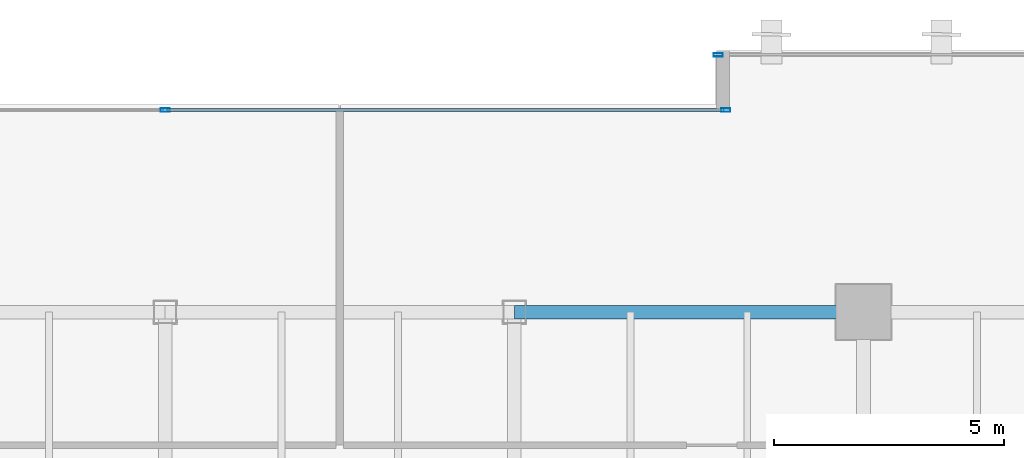
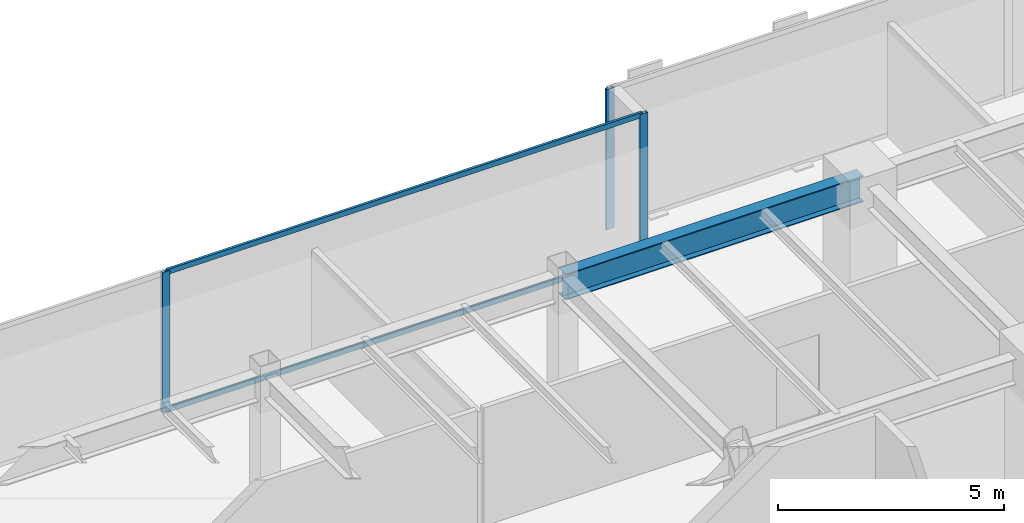
# One storey, part 18 of 34: 5 members, 1 beam, 2 elements without a shape of their own.
"""IFC4 building model written with IfcOpenShell, lengths in metres."""

from ifc_helpers import new_model, si_unit, direction, frame, origin, origin_2d, place, context, subcontext, project, spatial, hollow_rectangle, i_section, extrude, source, transform, mapped, material, layer, layer_set, material_profile, profile_set, type_object, type_shapes, element, aggregate, save


model = new_model("IFC4")

# Units and contexts
model_context = context("Model", 3, precision=1e-05, world=origin(), true_north=direction((0.0, 1.0)))
body_context = subcontext(model_context, "Body", "Model", "MODEL_VIEW")
ifc_project = project(units=[si_unit("LENGTHUNIT", "METRE"), si_unit("AREAUNIT", "SQUARE_METRE"), si_unit("VOLUMEUNIT", "CUBIC_METRE"), si_unit("PLANEANGLEUNIT", "RADIAN"), si_unit("MASSUNIT", "GRAM", prefix="KILO")], contexts=[model_context])

# Site, building, storey
site_placement = place(None, origin())
site = spatial("IfcSite", under=ifc_project, at=site_placement, CompositionType="ELEMENT")
building_placement = place(site_placement, origin())
building = spatial("IfcBuilding", under=site, at=building_placement, Name="Haelvirn Gate Laboratories", CompositionType="ELEMENT")
storey_placement = place(building_placement, frame((0.0, 0.0, 158.39990234375)))
storey = spatial("IfcBuildingStorey", under=building, at=storey_placement, Name="L38", CompositionType="ELEMENT", Elevation=158.39990234375)

# Beam
ifc_material_1 = material(Name="Steel SM355", Category="steel")
ifc_material_profile_1 = material_profile(ifc_material_1, i_section(OverallWidth=0.300048828125, OverallDepth=0.699951171875, WebThickness=0.012939453125, FlangeThickness=0.02392578125, at=origin_2d()), Name="H-700x300x13x24")
ifc_profile_set_1 = profile_set([ifc_material_profile_1], Name="Steel SM355")
beam_type = type_object("IfcBeamType", Name="BM-G-700", PredefinedType="BEAM", material=ifc_profile_set_1)
shared_shape_1 = source(origin(), body_context, "Body", "SweptSolid", [
    extrude(i_section(OverallWidth=0.300048828125, OverallDepth=0.699951171875, WebThickness=0.012939453125, FlangeThickness=0.02392578125, at=origin_2d()), origin(), (0.0, 0.0, 1.0), 7.60009765625),
])
type_shapes(beam_type, [shared_shape_1])
beam_placement = place(storey_placement, frame((45.0, 41.60009765625, 3.440185546875), z_axis=(1.0, 0.0, 0.0), x_axis=(0.0, 1.0, 0.0)))
element("IfcBeam", 1, at=beam_placement, inside=storey, type_object=beam_type, Name="L38 Primary Girder Y41.6 (45.0-52.6)", PredefinedType="BEAM", context=body_context, shape_type="MappedRepresentation", body=[
    mapped(shared_shape_1, transform((0.0, 0.0, 0.0), scale=1.0)),
])

# Curtain wall, members
ifc_material_2 = material(Name="Anodised bronze unitised aluminium & triple low-E glass", Category="aluminium")
ifc_layer = layer(ifc_material_2, 0.179931640625, Name="CW-SYS-3")
ifc_layer_set = layer_set([ifc_layer], Name="Anodised bronze unitised aluminium & triple low-E glass")
curtain_wall_type = type_object("IfcCurtainWallType", Name="CW-SYS-3", PredefinedType="NOTDEFINED", material=ifc_layer_set)
curtain_wall_1_placement = place(storey_placement, origin())
curtain_wall_1 = element("IfcCurtainWall", 2, at=curtain_wall_1_placement, inside=storey, type_object=curtain_wall_type, Name="L38 Unitised Curtain Wall CW-L38-P0-E12-1", PredefinedType="NOTDEFINED")
ifc_material_3 = material(Name="Extruded aluminium 6063-T6 (anodised bronze)", Category="aluminium")
ifc_material_profile_2 = material_profile(ifc_material_3, hollow_rectangle(XDim=0.06494140625, YDim=0.139892578125, WallThickness=0.00390625, at=origin_2d()), Name="CWT-140x65x4")
ifc_profile_set_2 = profile_set([ifc_material_profile_2], Name="Extruded aluminium 6063-T6 (anodised bronze)")
member_type_1 = type_object("IfcMemberType", Name="CWT-T140", PredefinedType="USERDEFINED", material=ifc_profile_set_2)
shared_shape_2 = source(origin(), body_context, "Body", "SweptSolid", [
    extrude(hollow_rectangle(XDim=0.06494140625, YDim=0.139892578125, WallThickness=0.00390625, at=origin_2d()), origin(), (0.0, 0.0, 1.0), 12.12744140625),
])
type_shapes(member_type_1, [shared_shape_2])
member_1_placement = place(storey_placement, frame((37.4375, 46.0, 0.03271484375), z_axis=(1.0, 0.0, 0.0), x_axis=(0.0, 1.0, 0.0)))
member_1 = element("IfcMember", 3, at=member_1_placement, type_object=member_type_1, Name="CW3 transom 2.1", ObjectType="TRANSOM", PredefinedType="USERDEFINED", context=body_context, shape_type="MappedRepresentation", body=[
    mapped(shared_shape_2, transform((0.0, 0.0, 0.0), scale=1.0)),
])
member_2_placement = place(storey_placement, frame((37.4375, 46.0, 3.757568359375), z_axis=(1.0, 0.0, 0.0), x_axis=(0.0, 1.0, 0.0)))
member_2 = element("IfcMember", 4, at=member_2_placement, type_object=member_type_1, Name="CW3 transom 2.2", ObjectType="TRANSOM", PredefinedType="USERDEFINED", context=body_context, shape_type="MappedRepresentation", body=[
    mapped(shared_shape_2, transform((0.0, 0.0, 0.0), scale=1.0)),
])

# Curtain wall, member
curtain_wall_2_placement = place(storey_placement, origin())
curtain_wall_2 = element("IfcCurtainWall", 5, at=curtain_wall_2_placement, inside=storey, type_object=curtain_wall_type, Name="L38 Unitised Curtain Wall CW-L38-P0-E10-1", PredefinedType="NOTDEFINED")
ifc_material_profile_3 = material_profile(ifc_material_3, hollow_rectangle(XDim=0.074951171875, YDim=0.199951171875, WallThickness=0.0048828125, at=origin_2d()), Name="CWM-200x75x5")
ifc_profile_set_3 = profile_set([ifc_material_profile_3], Name="Extruded aluminium 6063-T6 (anodised bronze)")
member_type_2 = type_object("IfcMemberType", Name="CWM-T200", PredefinedType="MULLION", material=ifc_profile_set_3)
shared_shape_3 = source(origin(), body_context, "Body", "SweptSolid", [
    extrude(hollow_rectangle(XDim=0.074951171875, YDim=0.199951171875, WallThickness=0.0048828125, at=origin_2d()), origin(), (0.0, 0.0, 1.0), 3.7900390625),
])
type_shapes(member_type_2, [shared_shape_3])
member_3_placement = place(storey_placement, frame((49.4375, 47.199951171875, 0.0), z_axis=(0.0, 0.0, 1.0), x_axis=(0.0, 1.0, 0.0)))
member_3 = element("IfcMember", 6, at=member_3_placement, type_object=member_type_2, Name="CW3 mullion 1", PredefinedType="MULLION", context=body_context, shape_type="MappedRepresentation", body=[
    mapped(shared_shape_3, transform((0.0, 0.0, 0.0), scale=1.0)),
])
aggregate(curtain_wall_2, [member_3])

# Member
member_4_placement = place(storey_placement, frame((37.39990234375, 46.0, 0.0), z_axis=(0.0, 0.0, 1.0), x_axis=(0.0, 1.0, 0.0)))
member_4 = element("IfcMember", 7, at=member_4_placement, type_object=member_type_2, Name="CW3 mullion 2", PredefinedType="MULLION", context=body_context, shape_type="MappedRepresentation", body=[
    mapped(shared_shape_3, transform((0.0, 0.0, 0.0), scale=1.0)),
])

member_5_placement = place(storey_placement, frame((49.6025390625, 46.0, 0.0), z_axis=(0.0, 0.0, 1.0), x_axis=(0.0, 1.0, 0.0)))
member_5 = element("IfcMember", 8, at=member_5_placement, type_object=member_type_2, Name="CW3 mullion 3", PredefinedType="MULLION", context=body_context, shape_type="MappedRepresentation", body=[
    mapped(shared_shape_3, transform((0.0, 0.0, 0.0), scale=1.0)),
])

aggregate(curtain_wall_1, [member_4, member_5, member_1, member_2])

save(model, "model.ifc")
